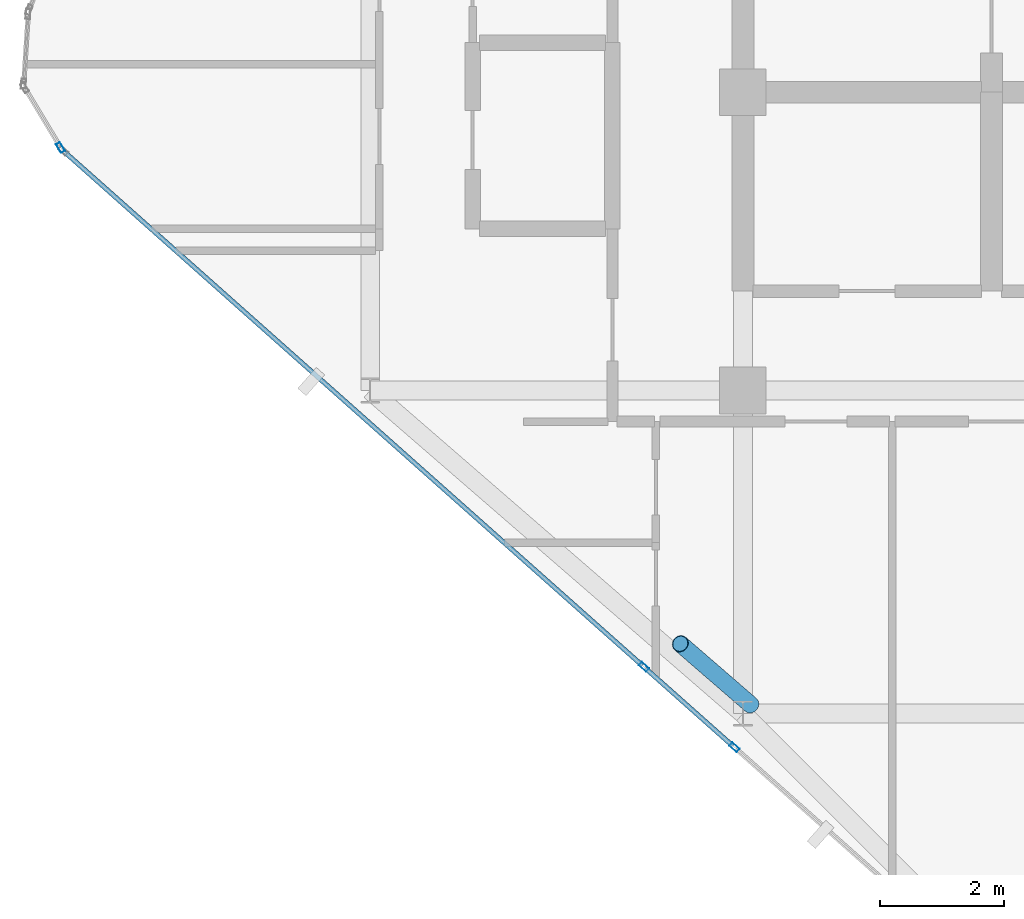
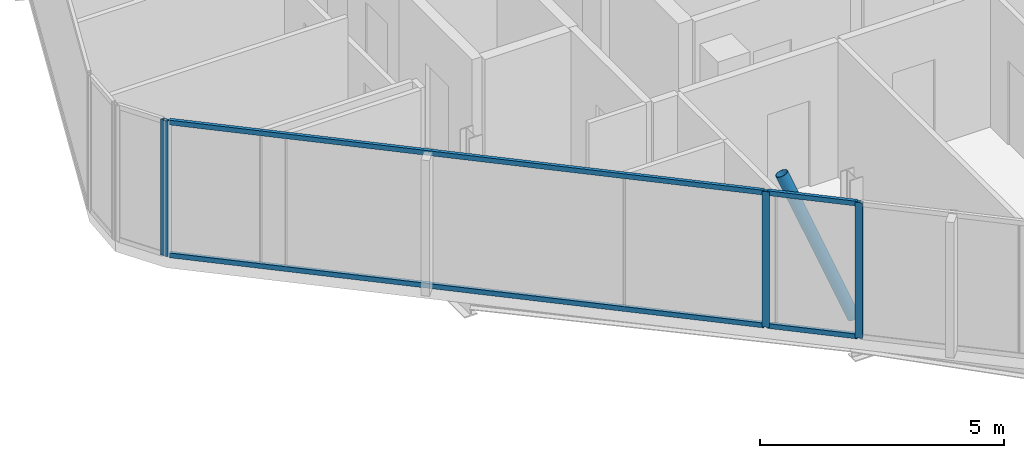
# One storey, part 3 of 28: 8 members, 4 elements without a shape of their own.
"""IFC4 building model written with IfcOpenShell, lengths in metres."""

from ifc_helpers import new_model, si_unit, direction, frame, origin, origin_2d, place, context, subcontext, project, spatial, hollow_rectangle, hollow_circle, extrude, material, layer, layer_set, material_profile, profile_set, type_object, element, aggregate, save


model = new_model("IFC4")

# Units and contexts
model_context = context("Model", 3, precision=1e-05, world=origin(), true_north=direction((0.0, 1.0)))
body_context = subcontext(model_context, "Body", "Model", "MODEL_VIEW")
ifc_project = project(units=[si_unit("LENGTHUNIT", "METRE"), si_unit("AREAUNIT", "SQUARE_METRE"), si_unit("VOLUMEUNIT", "CUBIC_METRE"), si_unit("PLANEANGLEUNIT", "RADIAN"), si_unit("MASSUNIT", "GRAM", prefix="KILO")], contexts=[model_context])

# Site, building, storey
site_placement = place(None, origin())
site = spatial("IfcSite", under=ifc_project, at=site_placement, CompositionType="ELEMENT")
building_placement = place(site_placement, origin())
building = spatial("IfcBuilding", under=site, at=building_placement, Name="Keshet Zoharim Tower", CompositionType="ELEMENT")
storey_placement = place(building_placement, frame((0.0, 0.0, 251.0)))
storey = spatial("IfcBuildingStorey", under=building, at=storey_placement, Name="L62", CompositionType="ELEMENT", Elevation=251.0)

# Curtain wall, member
ifc_material_1 = material(Name="Aluminium 6063-T6", Category="aluminium")
ifc_layer = layer(ifc_material_1, 0.260009765625)
ifc_layer_set = layer_set([ifc_layer], Name="Aluminium 6063-T6")
curtain_wall_type = type_object("IfcCurtainWallType", Name="CW-SYS-06", PredefinedType="NOTDEFINED", material=ifc_layer_set)
curtain_wall_1_placement = place(storey_placement, origin())
curtain_wall_1 = element("IfcCurtainWall", 1, at=curtain_wall_1_placement, inside=storey, type_object=curtain_wall_type, Name="L62 Unitised Curtain Wall 01", PredefinedType="NOTDEFINED")
ifc_material_profile_1 = material_profile(ifc_material_1, hollow_rectangle(XDim=0.074951171875, YDim=0.159912109375, WallThickness=0.00390625, at=origin_2d()), Name="MUL-75x160")
ifc_profile_set_1 = profile_set([ifc_material_profile_1], Name="Aluminium 6063-T6")
member_type_1 = type_object("IfcMemberType", Name="CWM-M15", PredefinedType="MULLION", material=ifc_profile_set_1)
member_1_placement = place(storey_placement, frame((4.016845703125, 21.81005859375, 0.0), z_axis=(0.0, 0.0, 1.0), x_axis=(-0.856826433805, -0.515604947933, 0.0)))
member_1 = element("IfcMember", 2, at=member_1_placement, type_object=member_type_1, Name="CW-06 mullion 1", PredefinedType="MULLION", context=body_context, shape_type="SweptSolid", body=[
    extrude(hollow_rectangle(XDim=0.074951171875, YDim=0.159912109375, WallThickness=0.00390625, at=origin_2d()), origin(), (0.0, 0.0, 1.0), 3.389892578125),
])
aggregate(curtain_wall_1, [member_1])

curtain_wall_2_placement = place(storey_placement, origin())
curtain_wall_2 = element("IfcCurtainWall", 3, at=curtain_wall_2_placement, inside=storey, type_object=curtain_wall_type, Name="L62 Unitised Curtain Wall 16", PredefinedType="NOTDEFINED")
member_2_placement = place(storey_placement, frame((14.863037109375, 12.155029296875, 0.0), z_axis=(0.0, 0.0, 1.0), x_axis=(-0.664362180559, -0.747410792699, 0.0)))
member_2 = element("IfcMember", 4, at=member_2_placement, type_object=member_type_1, Name="CW-06 mullion 2", PredefinedType="MULLION", context=body_context, shape_type="SweptSolid", body=[
    extrude(hollow_rectangle(XDim=0.074951171875, YDim=0.159912109375, WallThickness=0.00390625, at=origin_2d()), origin(), (0.0, 0.0, 1.0), 3.389892578125),
])
aggregate(curtain_wall_2, [member_2])

# Curtain wall, members
curtain_wall_3_placement = place(storey_placement, origin())
curtain_wall_3 = element("IfcCurtainWall", 5, at=curtain_wall_3_placement, inside=storey, type_object=curtain_wall_type, Name="L62 Unitised Curtain Wall 16 Part 2", PredefinedType="NOTDEFINED")
member_3_placement = place(storey_placement, frame((13.40576171875, 13.450439453125, 0.0), z_axis=(0.0, 0.0, 1.0), x_axis=(-0.664338369143, -0.747431957629, 0.0)))
member_3 = element("IfcMember", 6, at=member_3_placement, type_object=member_type_1, Name="CW-06 mullion 2", PredefinedType="MULLION", context=body_context, shape_type="SweptSolid", body=[
    extrude(hollow_rectangle(XDim=0.074951171875, YDim=0.159912109375, WallThickness=0.00390625, at=origin_2d()), origin(), (0.0, 0.0, 1.0), 3.389892578125),
])
ifc_material_profile_2 = material_profile(ifc_material_1, hollow_rectangle(XDim=0.074951171875, YDim=0.1201171875, WallThickness=0.00390625, at=origin_2d()), Name="TRN-75x120")
ifc_profile_set_2 = profile_set([ifc_material_profile_2], Name="Aluminium 6063-T6")
member_type_2 = type_object("IfcMemberType", Name="CWT-T12", PredefinedType="USERDEFINED", material=ifc_profile_set_2)
member_4_placement = place(storey_placement, frame((14.8369140625, 12.178466796875, 0.034912109375), z_axis=(-0.747452318941, 0.664315460387, 0.0), x_axis=(-0.664315460387, -0.747452318941, 0.0)))
member_4 = element("IfcMember", 7, at=member_4_placement, type_object=member_type_2, Name="CW-06 transom 1.1", ObjectType="TRANSOM", PredefinedType="USERDEFINED", context=body_context, shape_type="SweptSolid", body=[
    extrude(hollow_rectangle(XDim=0.074951171875, YDim=0.1201171875, WallThickness=0.00390625, at=origin_2d()), origin(), (0.0, 0.0, 1.0), 1.87939453125),
])
member_5_placement = place(storey_placement, frame((14.8369140625, 12.178466796875, 3.35498046875), z_axis=(-0.747452318941, 0.664315460387, 0.0), x_axis=(-0.664315460387, -0.747452318941, 0.0)))
member_5 = element("IfcMember", 8, at=member_5_placement, type_object=member_type_2, Name="CW-06 transom 1.2", ObjectType="TRANSOM", PredefinedType="USERDEFINED", context=body_context, shape_type="SweptSolid", body=[
    extrude(hollow_rectangle(XDim=0.074951171875, YDim=0.1201171875, WallThickness=0.00390625, at=origin_2d()), origin(), (0.0, 0.0, 1.0), 1.87939453125),
])
aggregate(curtain_wall_3, [member_3, member_4, member_5])

curtain_wall_4_placement = place(storey_placement, origin())
curtain_wall_4 = element("IfcCurtainWall", 9, at=curtain_wall_4_placement, inside=storey, type_object=curtain_wall_type, Name="L62 Unitised Curtain Wall 16 Part 3", PredefinedType="NOTDEFINED")
member_6_placement = place(storey_placement, frame((13.379638671875, 13.4736328125, 0.034912109375), z_axis=(-0.747409318684, 0.66436383883, 0.0), x_axis=(-0.66436383883, -0.747409318684, 0.0)))
member_6 = element("IfcMember", 10, at=member_6_placement, type_object=member_type_2, Name="CW-06 transom 1.1", ObjectType="TRANSOM", PredefinedType="USERDEFINED", context=body_context, shape_type="SweptSolid", body=[
    extrude(hollow_rectangle(XDim=0.074951171875, YDim=0.1201171875, WallThickness=0.00390625, at=origin_2d()), origin(), (0.0, 0.0, 1.0), 12.4326171875),
])
member_7_placement = place(storey_placement, frame((13.379638671875, 13.4736328125, 3.35498046875), z_axis=(-0.747409318684, 0.66436383883, 0.0), x_axis=(-0.66436383883, -0.747409318684, 0.0)))
member_7 = element("IfcMember", 11, at=member_7_placement, type_object=member_type_2, Name="CW-06 transom 1.2", ObjectType="TRANSOM", PredefinedType="USERDEFINED", context=body_context, shape_type="SweptSolid", body=[
    extrude(hollow_rectangle(XDim=0.074951171875, YDim=0.1201171875, WallThickness=0.00390625, at=origin_2d()), origin(), (0.0, 0.0, 1.0), 12.4326171875),
])
aggregate(curtain_wall_4, [member_6, member_7])

# Member
ifc_material_2 = material(Name="Steel S355", Category="steel")
ifc_material_profile_3 = material_profile(ifc_material_2, hollow_circle(Radius=0.136474609375, WallThickness=0.010009765625, at=origin_2d()), Name="CHS273x10")
ifc_profile_set_3 = profile_set([ifc_material_profile_3], Name="Steel S355")
member_type_3 = type_object("IfcMemberType", Name="MB-BR-C273", PredefinedType="BRACE", material=ifc_profile_set_3)
member_8_placement = place(storey_placement, frame((15.1259765625, 12.842041015625, 0.0), z_axis=(-0.305919508672, 0.264888754334, 0.914465528077), x_axis=(-0.654589683411, -0.755984355904, 0.0)))
element("IfcMember", 12, at=member_8_placement, inside=storey, type_object=member_type_3, Name="L62 Perimeter Tube Brace 01", PredefinedType="BRACE", context=body_context, shape_type="SweptSolid", body=[
    extrude(hollow_circle(Radius=0.136474609375, WallThickness=0.010009765625, at=origin_2d()), origin(), (0.0, 0.0, 1.0), 3.70703125),
])

save(model, "model.ifc")
